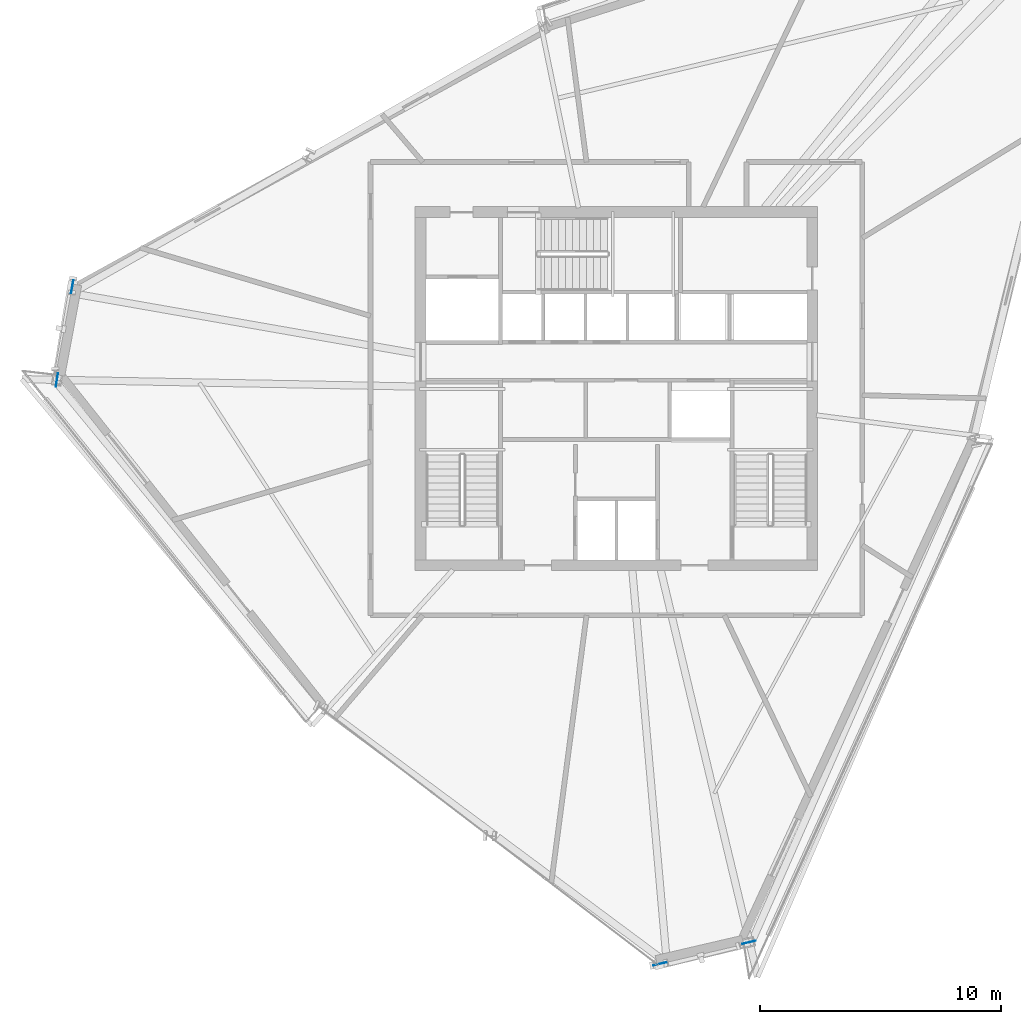
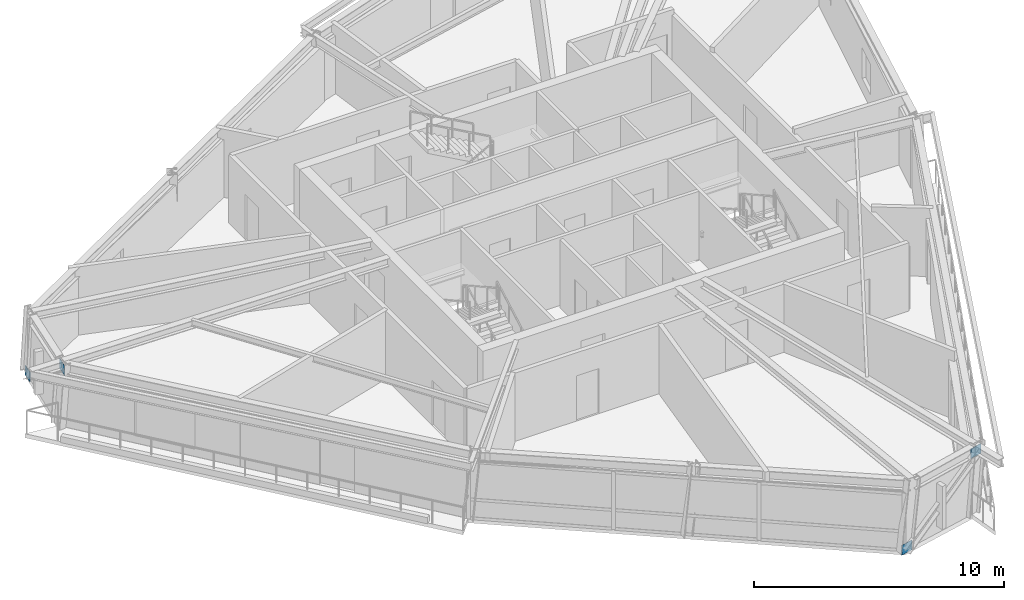
# One storey, part 6 of 13: 4 plates.
"""IFC4 building model written with IfcOpenShell, lengths in metres."""

from ifc_helpers import new_model, si_unit, direction, frame, origin, origin_2d, place, context, subcontext, project, spatial, rectangle, extrude, source, transform, mapped, material, type_object, element, save


model = new_model("IFC4")

# Units and contexts
model_context = context("Model", 3, precision=1e-05, world=origin(), true_north=direction((0.0, 1.0)))
body_context = subcontext(model_context, "Body", "Model", "MODEL_VIEW")
ifc_project = project(units=[si_unit("LENGTHUNIT", "METRE"), si_unit("AREAUNIT", "SQUARE_METRE"), si_unit("VOLUMEUNIT", "CUBIC_METRE"), si_unit("PLANEANGLEUNIT", "RADIAN"), si_unit("MASSUNIT", "GRAM", prefix="KILO")], contexts=[model_context])

# Site, building, storey
site_placement = place(None, origin())
site = spatial("IfcSite", under=ifc_project, at=site_placement, CompositionType="ELEMENT")
building_placement = place(site_placement, origin())
building = spatial("IfcBuilding", under=site, at=building_placement, Name="Olszyna Solenne Hotel", CompositionType="ELEMENT")
storey_placement = place(building_placement, frame((0.0, 0.0, 227.35009765625)))
storey = spatial("IfcBuildingStorey", under=building, at=storey_placement, Name="L60", CompositionType="ELEMENT", Elevation=227.35009765625)

# Plates
ifc_material = material(Name="Steel S355J2", Category="steel")
plate_type = type_object("IfcPlateType", Name="GP-ND2", PredefinedType="USERDEFINED", material=ifc_material)
shared_shape = source(origin(), body_context, "Body", "SweptSolid", [
    extrude(rectangle(XDim=0.56005859375, YDim=0.02001953125, at=origin_2d()), origin(), (0.0, 0.0, 1.0), 0.47998046875),
])
for number, where, z_axis, x_axis, name in (
    (1, (15.429443359375, 30.8310546875, -0.147216796875), (0.0, 0.0, 1.0), (-0.161948288881, -0.98679924591, 0.0), "Brace end connection gusset plate GP-ND2 EP-BR-L60-2-1"),
    (2, (14.794189453125, 26.961669921875, 2.73193359375), (0.0, 0.0, 1.0), (-0.161948288881, -0.98679924591, 0.0), "Brace end connection gusset plate GP-ND2 EP-BR-L60-2-2"),
    (3, (39.806396484375, 2.73974609375, -0.145751953125), (0.0, 0.0, 1.0), (0.972002025815, 0.234972470325, 0.0), "Brace end connection gusset plate GP-ND2 EP-BR-L60-3-1"),
    (4, (43.504638671875, 3.634033203125, 2.73046875), (0.0, 0.0, 1.0), (0.972002025815, 0.234972470325, 0.0), "Brace end connection gusset plate GP-ND2 EP-BR-L60-3-2"),
):
    element("IfcPlate", number, at=place(storey_placement, frame(where, z_axis=z_axis, x_axis=x_axis)), inside=storey, type_object=plate_type, Name=name, ObjectType="GUSSET_PLATE", PredefinedType="USERDEFINED", context=body_context, shape_type="MappedRepresentation", body=[
        mapped(shared_shape, transform((0.0, 0.0, 0.0), x_axis=(1.0, 0.0, 0.0), y_axis=(0.0, 1.0, 0.0), z_axis=(0.0, 0.0, 1.0), scale=1.0)),
    ])

save(model, "model.ifc")
